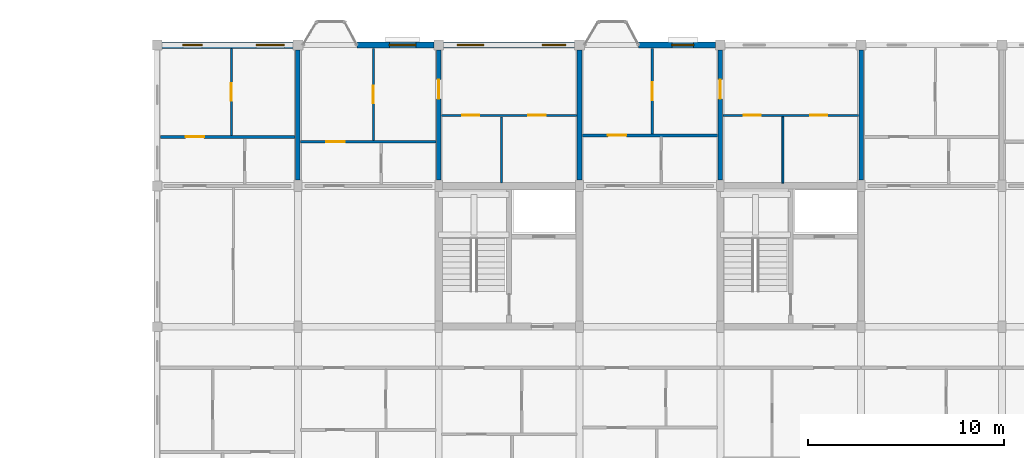
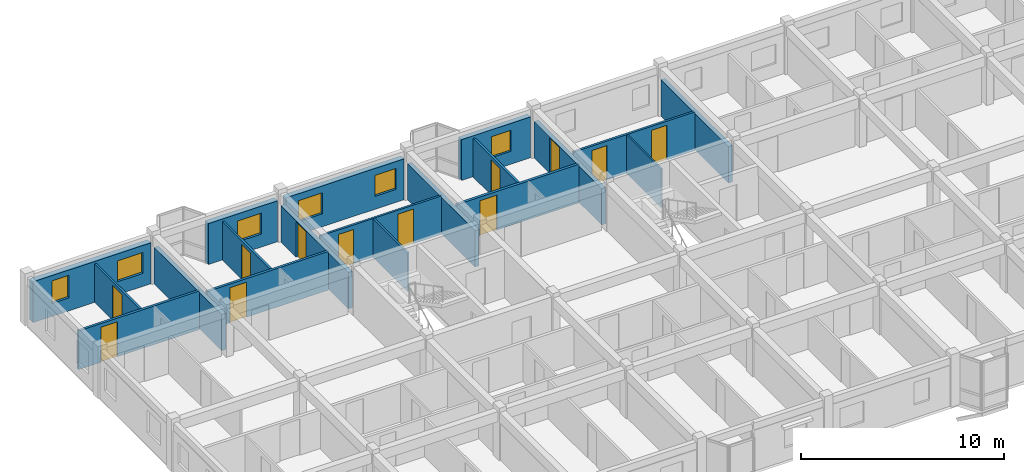
# One storey, part 63 of 70: 19 walls, 12 doors, 6 windows, 18 openings.
"""IFC4 building model written with IfcOpenShell, lengths in metres."""

from ifc_helpers import new_model, si_unit, direction, frame, frame_2d, origin, place, context, subcontext, project, spatial, rectangle, extrude, material, layer, layer_set, type_object, element, fill, save


model = new_model("IFC4")

# Units and contexts
model_context = context("Model", 3, precision=1e-05, world=origin(), true_north=direction((0.0, 1.0)))
body_context = subcontext(model_context, "Body", "Model", "MODEL_VIEW")
ifc_project = project(units=[si_unit("LENGTHUNIT", "METRE"), si_unit("AREAUNIT", "SQUARE_METRE"), si_unit("VOLUMEUNIT", "CUBIC_METRE"), si_unit("PLANEANGLEUNIT", "RADIAN"), si_unit("MASSUNIT", "GRAM", prefix="KILO"), si_unit("THERMODYNAMICTEMPERATUREUNIT", "KELVIN"), si_unit("POWERUNIT", "WATT")], contexts=[model_context])

# Site, building, storey
site_placement = place(None, origin())
site = spatial("IfcSite", under=ifc_project, at=site_placement, CompositionType="ELEMENT")
building_placement = place(site_placement, origin())
building = spatial("IfcBuilding", under=site, at=building_placement, Name="Tavuni Mirador Residences", CompositionType="ELEMENT")
storey_placement = place(building_placement, frame((0.0, 0.0, 23.39990234375)))
storey = spatial("IfcBuildingStorey", under=building, at=storey_placement, Name="L07", CompositionType="ELEMENT", Elevation=23.39990234375)

# Wall, openings, windows
ifc_material_1 = material(Name="Precast concrete C40/50", Category="concrete")
ifc_layer_1 = layer(ifc_material_1, 0.330078125, Name="Precast concrete C40/50", Category="concrete")
ifc_layer_set_1 = layer_set([ifc_layer_1], Name="Precast concrete C40/50")
wall_type_1 = type_object("IfcWallType", Name="WT-EXT-COR330", PredefinedType="SOLIDWALL", material=ifc_layer_set_1)
wall_1_placement = place(storey_placement, frame((17.75, 172.800048828125, 0.0), z_axis=(0.0, 0.0, 1.0), x_axis=(-1.0, 0.0, 0.0)))
wall_1 = element("IfcWall", 1, at=wall_1_placement, inside=storey, type_object=wall_type_1, Name="EW-BLK-C-L07-N00", PredefinedType="SOLIDWALL", context=body_context, shape_type="SweptSolid", body=[
    extrude(rectangle(XDim=6.699951171875, YDim=0.330078125, at=frame_2d((3.35009765625, 0.0))), origin(), (0.0, 0.0, 1.0), 2.455078125),
])
opening_1_placement = place(wall_1_placement, frame((0.449951171875, 0.0, 0.780029296875)))
opening_1 = element("IfcOpeningElement", 2, at=opening_1_placement, cuts=wall_1, Name="Opening WN-16", PredefinedType="OPENING", context=body_context, shape_type="SweptSolid", body=[
    extrude(rectangle(XDim=1.43994140625, YDim=1.260009765625, at=frame_2d((0.719970703125, 0.6298828125))), frame((0.0, 0.175048828125, 0.0), z_axis=(0.0, -1.0, 0.0), x_axis=(1.0, 0.0, 0.0)), (0.0, 0.0, 1.0), 0.35009765625),
])
opening_2_placement = place(wall_1_placement, frame((4.64990234375, 0.0, 0.780029296875)))
opening_2 = element("IfcOpeningElement", 3, at=opening_2_placement, cuts=wall_1, Name="Opening WN-18", PredefinedType="OPENING", context=body_context, shape_type="SweptSolid", body=[
    extrude(rectangle(XDim=0.97998046875, YDim=1.360107421875, at=frame_2d((0.489990234375, 0.68017578125))), frame((0.0, 0.175048828125, 0.0), z_axis=(0.0, -1.0, 0.0), x_axis=(1.0, 0.0, 0.0)), (0.0, 0.0, 1.0), 0.35009765625),
])
ifc_material_2 = material(Name="Laminated solar-control glass", Category="glass")
window_type_1 = type_object("IfcWindowType", Name="WNT-16", PartitioningType="SINGLE_PANEL", PredefinedType="WINDOW", material=ifc_material_2)
window_1_placement = place(opening_1_placement, origin())
window_1 = element("IfcWindow", 4, at=window_1_placement, inside=storey, type_object=window_type_1, Name="WIN-1178", OverallHeight=1.260009765625, OverallWidth=1.43994140625, PartitioningType="SINGLE_PANEL", PredefinedType="WINDOW", context=body_context, shape_type="SweptSolid", body=[
    extrude(rectangle(XDim=1.43994140625, YDim=1.260009765625, at=frame_2d((0.719970703125, 0.6298828125))), frame((0.0, 0.030029296875, 0.0), z_axis=(0.0, -1.0, 0.0), x_axis=(1.0, 0.0, 0.0)), (0.0, 0.0, 1.0), 0.06005859375),
])
fill(opening_1, window_1)
window_type_2 = type_object("IfcWindowType", Name="WNT-18", PartitioningType="SINGLE_PANEL", PredefinedType="WINDOW", material=ifc_material_2)
window_2_placement = place(opening_2_placement, origin())
window_2 = element("IfcWindow", 5, at=window_2_placement, inside=storey, type_object=window_type_2, Name="WIN-1179", OverallHeight=1.360107421875, OverallWidth=0.97998046875, PartitioningType="SINGLE_PANEL", PredefinedType="WINDOW", context=body_context, shape_type="SweptSolid", body=[
    extrude(rectangle(XDim=0.97998046875, YDim=1.360107421875, at=frame_2d((0.489990234375, 0.68017578125))), frame((0.0, 0.030029296875, 0.0), z_axis=(0.0, -1.0, 0.0), x_axis=(1.0, 0.0, 0.0)), (0.0, 0.0, 1.0), 0.06005859375),
])
fill(opening_2, window_2)

# Wall, opening, window
ifc_material_3 = material(Name="Sgraffito lime-rendered precast concrete C40/50", Category="concrete")
ifc_layer_2 = layer(ifc_material_3, 0.2900390625, Name="Sgraffito lime-rendered precast concrete C40/50", Category="concrete")
ifc_layer_set_2 = layer_set([ifc_layer_2], Name="Sgraffito lime-rendered precast concrete C40/50")
wall_type_2 = type_object("IfcWallType", Name="WT-EXT-PC290", PredefinedType="SOLIDWALL", material=ifc_layer_set_2)
wall_2_placement = place(storey_placement, frame((39.35009765625, 172.800048828125, 0.0), z_axis=(0.0, 0.0, 1.0), x_axis=(-1.0, 0.0, 0.0)))
wall_2 = element("IfcWall", 6, at=wall_2_placement, inside=storey, type_object=wall_type_2, Name="EW-BLK-C-L07-N03", PredefinedType="SOLIDWALL", context=body_context, shape_type="SweptSolid", body=[
    extrude(rectangle(XDim=3.93017578125, YDim=0.2900390625, at=frame_2d((1.965087890625, 0.0))), origin(), (0.0, 0.0, 1.0), 2.455078125),
])
opening_3_placement = place(wall_2_placement, frame((1.110107421875, 0.0, 0.780029296875)))
opening_3 = element("IfcOpeningElement", 7, at=opening_3_placement, cuts=wall_2, Name="Opening WN-12", PredefinedType="OPENING", context=body_context, shape_type="SweptSolid", body=[
    extrude(rectangle(XDim=1.1201171875, YDim=1.260009765625, at=frame_2d((0.56005859375, 0.6298828125))), frame((0.0, 0.155029296875, 0.0), z_axis=(0.0, -1.0, 0.0), x_axis=(1.0, 0.0, 0.0)), (0.0, 0.0, 1.0), 0.31005859375),
])
window_type_3 = type_object("IfcWindowType", Name="WNT-12", PartitioningType="SINGLE_PANEL", PredefinedType="WINDOW", material=ifc_material_2)
window_3_placement = place(opening_3_placement, origin())
window_3 = element("IfcWindow", 8, at=window_3_placement, inside=storey, type_object=window_type_3, Name="WIN-1174", OverallHeight=1.260009765625, OverallWidth=1.1201171875, PartitioningType="SINGLE_PANEL", PredefinedType="WINDOW", context=body_context, shape_type="SweptSolid", body=[
    extrude(rectangle(XDim=1.1201171875, YDim=1.260009765625, at=frame_2d((0.56005859375, 0.6298828125))), frame((0.0, 0.030029296875, 0.0), z_axis=(0.0, -1.0, 0.0), x_axis=(1.0, 0.0, 0.0)), (0.0, 0.0, 1.0), 0.06005859375),
])
fill(opening_3, window_3)

# Wall, openings, windows
ifc_layer_3 = layer(ifc_material_3, 0.304931640625, Name="Sgraffito lime-rendered precast concrete C40/50", Category="concrete")
ifc_layer_set_3 = layer_set([ifc_layer_3], Name="Sgraffito lime-rendered precast concrete C40/50")
wall_type_3 = type_object("IfcWallType", Name="WT-EXT-PC305", PredefinedType="SOLIDWALL", material=ifc_layer_set_3)
wall_3_placement = place(storey_placement, frame((32.14990234375, 172.800048828125, 0.0), z_axis=(0.0, 0.0, 1.0), x_axis=(-1.0, 0.0, 0.0)))
wall_3 = element("IfcWall", 9, at=wall_3_placement, inside=storey, type_object=wall_type_3, Name="EW-BLK-C-L07-N02", PredefinedType="SOLIDWALL", context=body_context, shape_type="SweptSolid", body=[
    extrude(rectangle(XDim=6.699951171875, YDim=0.304931640625, at=frame_2d((3.35009765625, 0.0))), origin(), (0.0, 0.0, 1.0), 2.455078125),
])
opening_4_placement = place(wall_3_placement, frame((0.449951171875, 0.0, 0.780029296875)))
opening_4 = element("IfcOpeningElement", 10, at=opening_4_placement, cuts=wall_3, Name="Opening WN-13", PredefinedType="OPENING", context=body_context, shape_type="SweptSolid", body=[
    extrude(rectangle(XDim=1.199951171875, YDim=1.260009765625, at=frame_2d((0.60009765625, 0.6298828125))), frame((0.0, 0.16259765625, 0.0), z_axis=(0.0, -1.0, 0.0), x_axis=(1.0, 0.0, 0.0)), (0.0, 0.0, 1.0), 0.324951171875),
])
opening_5_placement = place(wall_3_placement, frame((4.64990234375, 0.0, 0.780029296875)))
opening_5 = element("IfcOpeningElement", 11, at=opening_5_placement, cuts=wall_3, Name="Opening WN-15", PredefinedType="OPENING", context=body_context, shape_type="SweptSolid", body=[
    extrude(rectangle(XDim=1.360107421875, YDim=1.260009765625, at=frame_2d((0.68017578125, 0.6298828125))), frame((0.0, 0.16259765625, 0.0), z_axis=(0.0, -1.0, 0.0), x_axis=(1.0, 0.0, 0.0)), (0.0, 0.0, 1.0), 0.324951171875),
])
window_type_4 = type_object("IfcWindowType", Name="WNT-13", PartitioningType="SINGLE_PANEL", PredefinedType="WINDOW", material=ifc_material_2)
window_4_placement = place(opening_4_placement, origin())
window_4 = element("IfcWindow", 12, at=window_4_placement, inside=storey, type_object=window_type_4, Name="WIN-1175", OverallHeight=1.260009765625, OverallWidth=1.199951171875, PartitioningType="SINGLE_PANEL", PredefinedType="WINDOW", context=body_context, shape_type="SweptSolid", body=[
    extrude(rectangle(XDim=1.199951171875, YDim=1.260009765625, at=frame_2d((0.60009765625, 0.6298828125))), frame((0.0, 0.030029296875, 0.0), z_axis=(0.0, -1.0, 0.0), x_axis=(1.0, 0.0, 0.0)), (0.0, 0.0, 1.0), 0.06005859375),
])
fill(opening_4, window_4)
window_type_5 = type_object("IfcWindowType", Name="WNT-15", PartitioningType="SINGLE_PANEL", PredefinedType="WINDOW", material=ifc_material_2)
window_5_placement = place(opening_5_placement, origin())
window_5 = element("IfcWindow", 13, at=window_5_placement, inside=storey, type_object=window_type_5, Name="WIN-1176", OverallHeight=1.260009765625, OverallWidth=1.360107421875, PartitioningType="SINGLE_PANEL", PredefinedType="WINDOW", context=body_context, shape_type="SweptSolid", body=[
    extrude(rectangle(XDim=1.360107421875, YDim=1.260009765625, at=frame_2d((0.68017578125, 0.6298828125))), frame((0.0, 0.030029296875, 0.0), z_axis=(0.0, -1.0, 0.0), x_axis=(1.0, 0.0, 0.0)), (0.0, 0.0, 1.0), 0.06005859375),
])
fill(opening_5, window_5)

# Wall, opening, window
ifc_layer_4 = layer(ifc_material_3, 0.31494140625, Name="Sgraffito lime-rendered precast concrete C40/50", Category="concrete")
ifc_layer_set_4 = layer_set([ifc_layer_4], Name="Sgraffito lime-rendered precast concrete C40/50")
wall_type_4 = type_object("IfcWallType", Name="WT-EXT-PC315", PredefinedType="SOLIDWALL", material=ifc_layer_set_4)
wall_4_placement = place(storey_placement, frame((24.949951171875, 172.800048828125, 0.0), z_axis=(0.0, 0.0, 1.0), x_axis=(-1.0, 0.0, 0.0)))
wall_4 = element("IfcWall", 14, at=wall_4_placement, inside=storey, type_object=wall_type_4, Name="EW-BLK-C-L07-N01", PredefinedType="SOLIDWALL", context=body_context, shape_type="SweptSolid", body=[
    extrude(rectangle(XDim=3.929931640625, YDim=0.31494140625, at=frame_2d((1.96484375, 0.0))), origin(), (0.0, 0.0, 1.0), 2.455078125),
])
opening_6_placement = place(wall_4_placement, frame((0.919921875, 0.0, 0.780029296875)))
opening_6 = element("IfcOpeningElement", 15, at=opening_6_placement, cuts=wall_4, Name="Opening WN-15", PredefinedType="OPENING", context=body_context, shape_type="SweptSolid", body=[
    extrude(rectangle(XDim=1.360107421875, YDim=1.260009765625, at=frame_2d((0.68017578125, 0.6298828125))), frame((0.0, 0.16748046875, 0.0), z_axis=(0.0, -1.0, 0.0), x_axis=(1.0, 0.0, 0.0)), (0.0, 0.0, 1.0), 0.3349609375),
])
window_6_placement = place(opening_6_placement, origin())
window_6 = element("IfcWindow", 16, at=window_6_placement, inside=storey, type_object=window_type_5, Name="WIN-1177", OverallHeight=1.260009765625, OverallWidth=1.360107421875, PartitioningType="SINGLE_PANEL", PredefinedType="WINDOW", context=body_context, shape_type="SweptSolid", body=[
    extrude(rectangle(XDim=1.360107421875, YDim=1.260009765625, at=frame_2d((0.68017578125, 0.6298828125))), frame((0.0, 0.030029296875, 0.0), z_axis=(0.0, -1.0, 0.0), x_axis=(1.0, 0.0, 0.0)), (0.0, 0.0, 1.0), 0.06005859375),
])
fill(opening_6, window_6)

# Walls
ifc_material_4 = material(Name="Acoustic gypsum and concrete block partition", Category="concrete")
ifc_layer_5 = layer(ifc_material_4, 0.094970703125, Name="Acoustic gypsum and concrete block partition", Category="concrete")
ifc_layer_set_5 = layer_set([ifc_layer_5], Name="Acoustic gypsum and concrete block partition")
wall_type_5 = type_object("IfcWallType", Name="WT-PART095", PredefinedType="PARTITIONING", material=ifc_layer_set_5)
wall_5_placement = place(storey_placement, frame((42.800048828125, 165.739990234375, 0.0), z_axis=(0.0, 0.0, 1.0), x_axis=(0.0, 1.0, 0.0)))
element("IfcWall", 17, at=wall_5_placement, inside=storey, type_object=wall_type_5, Name="PW-BLK-C-L07-NC04-V", PredefinedType="PARTITIONING", context=body_context, shape_type="SweptSolid", body=[
    extrude(rectangle(XDim=3.389892578125, YDim=0.094970703125, at=frame_2d((1.69482421875, 0.0))), origin(), (0.0, 0.0, 1.0), 2.320068359375),
])
ifc_layer_6 = layer(ifc_material_4, 0.10498046875, Name="Acoustic gypsum and concrete block partition", Category="concrete")
ifc_layer_set_6 = layer_set([ifc_layer_6], Name="Acoustic gypsum and concrete block partition")
wall_type_6 = type_object("IfcWallType", Name="WT-PART105", PredefinedType="PARTITIONING", material=ifc_layer_set_6)
wall_6_placement = place(storey_placement, frame((28.39990234375, 165.739990234375, 0.0), z_axis=(0.0, 0.0, 1.0), x_axis=(0.0, 1.0, 0.0)))
element("IfcWall", 18, at=wall_6_placement, inside=storey, type_object=wall_type_6, Name="PW-BLK-C-L07-NC02-V", PredefinedType="PARTITIONING", context=body_context, shape_type="SweptSolid", body=[
    extrude(rectangle(XDim=3.389892578125, YDim=0.10498046875, at=frame_2d((1.69482421875, 0.0))), origin(), (0.0, 0.0, 1.0), 2.320068359375),
])

# Wall, opening, door
ifc_layer_7 = layer(ifc_material_4, 0.114990234375, Name="Acoustic gypsum and concrete block partition", Category="concrete")
ifc_layer_set_7 = layer_set([ifc_layer_7], Name="Acoustic gypsum and concrete block partition")
wall_type_7 = type_object("IfcWallType", Name="WT-PART115", PredefinedType="PARTITIONING", material=ifc_layer_set_7)
wall_7_placement = place(storey_placement, frame((14.60009765625, 168.169921875, 0.0), z_axis=(0.0, 0.0, 1.0), x_axis=(0.0, 1.0, 0.0)))
wall_7 = element("IfcWall", 19, at=wall_7_placement, inside=storey, type_object=wall_type_7, Name="PW-BLK-C-L07-N00-OUT", PredefinedType="PARTITIONING", context=body_context, shape_type="SweptSolid", body=[
    extrude(rectangle(XDim=4.455078125, YDim=0.114990234375, at=frame_2d((2.2275390625, 0.0))), origin(), (0.0, 0.0, 1.0), 2.320068359375),
])
opening_7_placement = place(wall_7_placement, frame((1.777587890625, 0.0, 0.0)))
opening_7 = element("IfcOpeningElement", 20, at=opening_7_placement, cuts=wall_7, Name="Opening D-07", PredefinedType="OPENING", context=body_context, shape_type="SweptSolid", body=[
    extrude(rectangle(XDim=0.89990234375, YDim=2.10009765625, at=frame_2d((0.449951171875, 1.050048828125))), frame((0.0, 0.0673828125, 0.0), z_axis=(0.0, -1.0, 0.0), x_axis=(1.0, 0.0, 0.0)), (0.0, 0.0, 1.0), 0.135009765625),
])
ifc_material_5 = material(Name="Solid core iroko timber", Category="wood")
door_type_1 = type_object("IfcDoorType", Name="DT-BED900", OperationType="NOTDEFINED", PredefinedType="DOOR", material=ifc_material_5)
door_1_placement = place(opening_7_placement, origin())
door_1 = element("IfcDoor", 21, at=door_1_placement, inside=storey, type_object=door_type_1, Name="DR-4021", OperationType="SINGLE_SWING_RIGHT", OverallHeight=2.10009765625, OverallWidth=0.89990234375, PredefinedType="DOOR", context=body_context, shape_type="SweptSolid", body=[
    extrude(rectangle(XDim=0.89990234375, YDim=2.10009765625, at=frame_2d((0.449951171875, 1.050048828125))), frame((0.0, 0.02490234375, 0.0), z_axis=(0.0, -1.0, 0.0), x_axis=(1.0, 0.0, 0.0)), (0.0, 0.0, 1.0), 0.050048828125),
])
fill(opening_7, door_1)

wall_8_placement = place(storey_placement, frame((21.860107421875, 167.929931640625, 0.0), z_axis=(0.0, 0.0, 1.0), x_axis=(0.0, 1.0, 0.0)))
wall_8 = element("IfcWall", 22, at=wall_8_placement, inside=storey, type_object=wall_type_7, Name="PW-BLK-C-L07-N01-OUT", PredefinedType="PARTITIONING", context=body_context, shape_type="SweptSolid", body=[
    extrude(rectangle(XDim=4.695068359375, YDim=0.114990234375, at=frame_2d((2.34765625, 0.0))), origin(), (0.0, 0.0, 1.0), 2.320068359375),
])
opening_8_placement = place(wall_8_placement, frame((1.8974609375, 0.0, 0.0)))
opening_8 = element("IfcOpeningElement", 23, at=opening_8_placement, cuts=wall_8, Name="Opening D-07", PredefinedType="OPENING", context=body_context, shape_type="SweptSolid", body=[
    extrude(rectangle(XDim=0.89990234375, YDim=2.10009765625, at=frame_2d((0.449951171875, 1.050048828125))), frame((0.0, 0.0673828125, 0.0), z_axis=(0.0, -1.0, 0.0), x_axis=(1.0, 0.0, 0.0)), (0.0, 0.0, 1.0), 0.135009765625),
])
door_2_placement = place(opening_8_placement, origin())
door_2 = element("IfcDoor", 24, at=door_2_placement, inside=storey, type_object=door_type_1, Name="DR-4027", OperationType="SINGLE_SWING_RIGHT", OverallHeight=2.10009765625, OverallWidth=0.89990234375, PredefinedType="DOOR", context=body_context, shape_type="SweptSolid", body=[
    extrude(rectangle(XDim=0.89990234375, YDim=2.10009765625, at=frame_2d((0.449951171875, 1.050048828125))), frame((0.0, 0.02490234375, 0.0), z_axis=(0.0, -1.0, 0.0), x_axis=(1.0, 0.0, 0.0)), (0.0, 0.0, 1.0), 0.050048828125),
])
fill(opening_8, door_2)

# Wall, openings, doors
wall_9_placement = place(storey_placement, frame((25.340087890625, 169.199951171875, 0.0), z_axis=(0.0, 0.0, 1.0), x_axis=(1.0, 0.0, 0.0)))
wall_9 = element("IfcWall", 25, at=wall_9_placement, inside=storey, type_object=wall_type_7, Name="PW-BLK-C-L07-NC02-M", PredefinedType="PARTITIONING", context=body_context, shape_type="SweptSolid", body=[
    extrude(rectangle(XDim=6.919921875, YDim=0.114990234375, at=frame_2d((3.4599609375, 0.0))), origin(), (0.0, 0.0, 1.0), 2.320068359375),
])
opening_9_placement = place(wall_9_placement, frame((1.050048828125, 0.0, 0.0)))
opening_9 = element("IfcOpeningElement", 26, at=opening_9_placement, cuts=wall_9, Name="Opening D-10", PredefinedType="OPENING", context=body_context, shape_type="SweptSolid", body=[
    extrude(rectangle(XDim=0.8701171875, YDim=2.050048828125, at=frame_2d((0.43505859375, 1.02490234375))), frame((0.0, 0.0673828125, 0.0), z_axis=(0.0, -1.0, 0.0), x_axis=(1.0, 0.0, 0.0)), (0.0, 0.0, 1.0), 0.135009765625),
])
opening_10_placement = place(wall_9_placement, frame((4.449951171875, 0.0, 0.0)))
opening_10 = element("IfcOpeningElement", 27, at=opening_10_placement, cuts=wall_9, Name="Opening D-08", PredefinedType="OPENING", context=body_context, shape_type="SweptSolid", body=[
    extrude(rectangle(XDim=0.8798828125, YDim=2.080078125, at=frame_2d((0.43994140625, 1.0400390625))), frame((0.0, 0.0673828125, 0.0), z_axis=(0.0, -1.0, 0.0), x_axis=(1.0, 0.0, 0.0)), (0.0, 0.0, 1.0), 0.135009765625),
])
door_type_2 = type_object("IfcDoorType", Name="DT-BED880", OperationType="NOTDEFINED", PredefinedType="DOOR", material=ifc_material_5)
door_3_placement = place(opening_10_placement, origin())
door_3 = element("IfcDoor", 28, at=door_3_placement, inside=storey, type_object=door_type_2, Name="DR-4034", OperationType="SINGLE_SWING_RIGHT", OverallHeight=2.080078125, OverallWidth=0.8798828125, PredefinedType="DOOR", context=body_context, shape_type="SweptSolid", body=[
    extrude(rectangle(XDim=0.8798828125, YDim=2.080078125, at=frame_2d((0.43994140625, 1.0400390625))), frame((0.0, 0.02490234375, 0.0), z_axis=(0.0, -1.0, 0.0), x_axis=(1.0, 0.0, 0.0)), (0.0, 0.0, 1.0), 0.050048828125),
])
fill(opening_10, door_3)
door_type_3 = type_object("IfcDoorType", Name="DT-WC870", OperationType="NOTDEFINED", PredefinedType="DOOR", material=ifc_material_5)
door_4_placement = place(opening_9_placement, origin())
door_4 = element("IfcDoor", 29, at=door_4_placement, inside=storey, type_object=door_type_3, Name="DR-4033", OperationType="SINGLE_SWING_LEFT", OverallHeight=2.050048828125, OverallWidth=0.8701171875, PredefinedType="DOOR", context=body_context, shape_type="SweptSolid", body=[
    extrude(rectangle(XDim=0.8701171875, YDim=2.050048828125, at=frame_2d((0.43505859375, 1.02490234375))), frame((0.0, 0.02490234375, 0.0), z_axis=(0.0, -1.0, 0.0), x_axis=(1.0, 0.0, 0.0)), (0.0, 0.0, 1.0), 0.050048828125),
])
fill(opening_9, door_4)

# Wall, opening, door
ifc_layer_8 = layer(ifc_material_4, 0.125, Name="Acoustic gypsum and concrete block partition", Category="concrete")
ifc_layer_set_8 = layer_set([ifc_layer_8], Name="Acoustic gypsum and concrete block partition")
wall_type_8 = type_object("IfcWallType", Name="WT-PART125", PredefinedType="PARTITIONING", material=ifc_layer_set_8)
wall_10_placement = place(storey_placement, frame((36.1201171875, 168.25, 0.0), z_axis=(0.0, 0.0, 1.0), x_axis=(0.0, 1.0, 0.0)))
wall_10 = element("IfcWall", 30, at=wall_10_placement, inside=storey, type_object=wall_type_8, Name="PW-BLK-C-L07-N03-OUT", PredefinedType="PARTITIONING", context=body_context, shape_type="SweptSolid", body=[
    extrude(rectangle(XDim=4.375, YDim=0.125, at=frame_2d((2.1875, 0.0))), origin(), (0.0, 0.0, 1.0), 2.320068359375),
])
opening_11_placement = place(wall_10_placement, frame((1.737548828125, 0.0, 0.0)))
opening_11 = element("IfcOpeningElement", 31, at=opening_11_placement, cuts=wall_10, Name="Opening D-07", PredefinedType="OPENING", context=body_context, shape_type="SweptSolid", body=[
    extrude(rectangle(XDim=0.89990234375, YDim=2.10009765625, at=frame_2d((0.449951171875, 1.050048828125))), frame((0.0, 0.072509765625, 0.0), z_axis=(0.0, -1.0, 0.0), x_axis=(1.0, 0.0, 0.0)), (0.0, 0.0, 1.0), 0.14501953125),
])
door_5_placement = place(opening_11_placement, origin())
door_5 = element("IfcDoor", 32, at=door_5_placement, inside=storey, type_object=door_type_1, Name="DR-4038", OperationType="SINGLE_SWING_RIGHT", OverallHeight=2.10009765625, OverallWidth=0.89990234375, PredefinedType="DOOR", context=body_context, shape_type="SweptSolid", body=[
    extrude(rectangle(XDim=0.89990234375, YDim=2.10009765625, at=frame_2d((0.449951171875, 1.050048828125))), frame((0.0, 0.02490234375, 0.0), z_axis=(0.0, -1.0, 0.0), x_axis=(1.0, 0.0, 0.0)), (0.0, 0.0, 1.0), 0.050048828125),
])
fill(opening_11, door_5)

# Wall, openings, doors
wall_11_placement = place(storey_placement, frame((39.739990234375, 169.199951171875, 0.0), z_axis=(0.0, 0.0, 1.0), x_axis=(1.0, 0.0, 0.0)))
wall_11 = element("IfcWall", 33, at=wall_11_placement, inside=storey, type_object=wall_type_8, Name="PW-BLK-C-L07-NC04-M", PredefinedType="PARTITIONING", context=body_context, shape_type="SweptSolid", body=[
    extrude(rectangle(XDim=6.919921875, YDim=0.125, at=frame_2d((3.4599609375, 0.0))), origin(), (0.0, 0.0, 1.0), 2.320068359375),
])
opening_12_placement = place(wall_11_placement, frame((1.050048828125, 0.0, 0.0)))
opening_12 = element("IfcOpeningElement", 34, at=opening_12_placement, cuts=wall_11, Name="Opening D-10", PredefinedType="OPENING", context=body_context, shape_type="SweptSolid", body=[
    extrude(rectangle(XDim=0.8701171875, YDim=2.050048828125, at=frame_2d((0.43505859375, 1.02490234375))), frame((0.0, 0.072509765625, 0.0), z_axis=(0.0, -1.0, 0.0), x_axis=(1.0, 0.0, 0.0)), (0.0, 0.0, 1.0), 0.14501953125),
])
opening_13_placement = place(wall_11_placement, frame((4.449951171875, 0.0, 0.0)))
opening_13 = element("IfcOpeningElement", 35, at=opening_13_placement, cuts=wall_11, Name="Opening D-08", PredefinedType="OPENING", context=body_context, shape_type="SweptSolid", body=[
    extrude(rectangle(XDim=0.8798828125, YDim=2.080078125, at=frame_2d((0.43994140625, 1.0400390625))), frame((0.0, 0.072509765625, 0.0), z_axis=(0.0, -1.0, 0.0), x_axis=(1.0, 0.0, 0.0)), (0.0, 0.0, 1.0), 0.14501953125),
])
door_6_placement = place(opening_13_placement, origin())
door_6 = element("IfcDoor", 36, at=door_6_placement, inside=storey, type_object=door_type_2, Name="DR-4045", OperationType="SINGLE_SWING_RIGHT", OverallHeight=2.080078125, OverallWidth=0.8798828125, PredefinedType="DOOR", context=body_context, shape_type="SweptSolid", body=[
    extrude(rectangle(XDim=0.8798828125, YDim=2.080078125, at=frame_2d((0.43994140625, 1.0400390625))), frame((0.0, 0.02490234375, 0.0), z_axis=(0.0, -1.0, 0.0), x_axis=(1.0, 0.0, 0.0)), (0.0, 0.0, 1.0), 0.050048828125),
])
fill(opening_13, door_6)
door_7_placement = place(opening_12_placement, origin())
door_7 = element("IfcDoor", 37, at=door_7_placement, inside=storey, type_object=door_type_3, Name="DR-4044", OperationType="SINGLE_SWING_LEFT", OverallHeight=2.050048828125, OverallWidth=0.8701171875, PredefinedType="DOOR", context=body_context, shape_type="SweptSolid", body=[
    extrude(rectangle(XDim=0.8701171875, YDim=2.050048828125, at=frame_2d((0.43505859375, 1.02490234375))), frame((0.0, 0.02490234375, 0.0), z_axis=(0.0, -1.0, 0.0), x_axis=(1.0, 0.0, 0.0)), (0.0, 0.0, 1.0), 0.050048828125),
])
fill(opening_12, door_7)

# Wall, opening, door
ifc_layer_9 = layer(ifc_material_4, 0.139892578125, Name="Acoustic gypsum and concrete block partition", Category="concrete")
ifc_layer_set_9 = layer_set([ifc_layer_9], Name="Acoustic gypsum and concrete block partition")
wall_type_9 = type_object("IfcWallType", Name="WT-PART140", PredefinedType="PARTITIONING", material=ifc_layer_set_9)
wall_12_placement = place(storey_placement, frame((10.97509765625, 168.10009765625, 0.0), z_axis=(0.0, 0.0, 1.0), x_axis=(1.0, 0.0, 0.0)))
wall_12 = element("IfcWall", 38, at=wall_12_placement, inside=storey, type_object=wall_type_9, Name="PW-BLK-C-L07-N00-MID", PredefinedType="PARTITIONING", context=body_context, shape_type="SweptSolid", body=[
    extrude(rectangle(XDim=6.885009765625, YDim=0.139892578125, at=frame_2d((3.4423828125, 0.0))), origin(), (0.0, 0.0, 1.0), 2.320068359375),
])
opening_14_placement = place(wall_12_placement, frame((1.27490234375, 0.0, 0.0)))
opening_14 = element("IfcOpeningElement", 39, at=opening_14_placement, cuts=wall_12, Name="Opening D-05", PredefinedType="OPENING", context=body_context, shape_type="SweptSolid", body=[
    extrude(rectangle(XDim=0.949951171875, YDim=2.10009765625, at=frame_2d((0.47509765625, 1.050048828125))), frame((0.0, 0.080078125, 0.0), z_axis=(0.0, -1.0, 0.0), x_axis=(1.0, 0.0, 0.0)), (0.0, 0.0, 1.0), 0.159912109375),
])
door_type_4 = type_object("IfcDoorType", Name="DT-INT950", OperationType="NOTDEFINED", PredefinedType="DOOR", material=ifc_material_5)
door_8_placement = place(opening_14_placement, origin())
door_8 = element("IfcDoor", 40, at=door_8_placement, inside=storey, type_object=door_type_4, Name="DR-4023", OperationType="SINGLE_SWING_LEFT", OverallHeight=2.10009765625, OverallWidth=0.949951171875, PredefinedType="DOOR", context=body_context, shape_type="SweptSolid", body=[
    extrude(rectangle(XDim=0.949951171875, YDim=2.10009765625, at=frame_2d((0.47509765625, 1.050048828125))), frame((0.0, 0.02490234375, 0.0), z_axis=(0.0, -1.0, 0.0), x_axis=(1.0, 0.0, 0.0)), (0.0, 0.0, 1.0), 0.050048828125),
])
fill(opening_14, door_8)

wall_13_placement = place(storey_placement, frame((18.139892578125, 167.860107421875, 0.0), z_axis=(0.0, 0.0, 1.0), x_axis=(1.0, 0.0, 0.0)))
wall_13 = element("IfcWall", 41, at=wall_13_placement, inside=storey, type_object=wall_type_9, Name="PW-BLK-C-L07-N01-MID", PredefinedType="PARTITIONING", context=body_context, shape_type="SweptSolid", body=[
    extrude(rectangle(XDim=6.920166015625, YDim=0.139892578125, at=frame_2d((3.4599609375, 0.0))), origin(), (0.0, 0.0, 1.0), 2.320068359375),
])
opening_15_placement = place(wall_13_placement, frame((1.31005859375, 0.0, 0.0)))
opening_15 = element("IfcOpeningElement", 42, at=opening_15_placement, cuts=wall_13, Name="Opening D-05", PredefinedType="OPENING", context=body_context, shape_type="SweptSolid", body=[
    extrude(rectangle(XDim=0.949951171875, YDim=2.10009765625, at=frame_2d((0.47509765625, 1.050048828125))), frame((0.0, 0.080078125, 0.0), z_axis=(0.0, -1.0, 0.0), x_axis=(1.0, 0.0, 0.0)), (0.0, 0.0, 1.0), 0.159912109375),
])
door_9_placement = place(opening_15_placement, origin())
door_9 = element("IfcDoor", 43, at=door_9_placement, inside=storey, type_object=door_type_4, Name="DR-4029", OperationType="SINGLE_SWING_LEFT", OverallHeight=2.10009765625, OverallWidth=0.949951171875, PredefinedType="DOOR", context=body_context, shape_type="SweptSolid", body=[
    extrude(rectangle(XDim=0.949951171875, YDim=2.10009765625, at=frame_2d((0.47509765625, 1.050048828125))), frame((0.0, 0.02490234375, 0.0), z_axis=(0.0, -1.0, 0.0), x_axis=(1.0, 0.0, 0.0)), (0.0, 0.0, 1.0), 0.050048828125),
])
fill(opening_15, door_9)

ifc_layer_10 = layer(ifc_material_4, 0.14990234375, Name="Acoustic gypsum and concrete block partition", Category="concrete")
ifc_layer_set_10 = layer_set([ifc_layer_10], Name="Acoustic gypsum and concrete block partition")
wall_type_10 = type_object("IfcWallType", Name="WT-PART150", PredefinedType="PARTITIONING", material=ifc_layer_set_10)
wall_14_placement = place(storey_placement, frame((32.5400390625, 168.179931640625, 0.0), z_axis=(0.0, 0.0, 1.0), x_axis=(1.0, 0.0, 0.0)))
wall_14 = element("IfcWall", 44, at=wall_14_placement, inside=storey, type_object=wall_type_10, Name="PW-BLK-C-L07-N03-MID", PredefinedType="PARTITIONING", context=body_context, shape_type="SweptSolid", body=[
    extrude(rectangle(XDim=6.919921875, YDim=0.14990234375, at=frame_2d((3.4599609375, 0.0))), origin(), (0.0, 0.0, 1.0), 2.320068359375),
])
opening_16_placement = place(wall_14_placement, frame((1.31005859375, 0.0, 0.0)))
opening_16 = element("IfcOpeningElement", 45, at=opening_16_placement, cuts=wall_14, Name="Opening D-05", PredefinedType="OPENING", context=body_context, shape_type="SweptSolid", body=[
    extrude(rectangle(XDim=0.949951171875, YDim=2.10009765625, at=frame_2d((0.47509765625, 1.050048828125))), frame((0.0, 0.0849609375, 0.0), z_axis=(0.0, -1.0, 0.0), x_axis=(1.0, 0.0, 0.0)), (0.0, 0.0, 1.0), 0.169921875),
])
door_10_placement = place(opening_16_placement, origin())
door_10 = element("IfcDoor", 46, at=door_10_placement, inside=storey, type_object=door_type_4, Name="DR-4040", OperationType="SINGLE_SWING_LEFT", OverallHeight=2.10009765625, OverallWidth=0.949951171875, PredefinedType="DOOR", context=body_context, shape_type="SweptSolid", body=[
    extrude(rectangle(XDim=0.949951171875, YDim=2.10009765625, at=frame_2d((0.47509765625, 1.050048828125))), frame((0.0, 0.02490234375, 0.0), z_axis=(0.0, -1.0, 0.0), x_axis=(1.0, 0.0, 0.0)), (0.0, 0.0, 1.0), 0.050048828125),
])
fill(opening_16, door_10)

# Wall
ifc_layer_11 = layer(ifc_material_1, 0.235107421875, Name="Precast concrete C40/50", Category="concrete")
ifc_layer_set_11 = layer_set([ifc_layer_11], Name="Precast concrete C40/50")
wall_type_11 = type_object("IfcWallType", Name="WT-XW235", PredefinedType="SOLIDWALL", material=ifc_layer_set_11)
wall_15_placement = place(storey_placement, frame((18.0, 165.89990234375, 0.0), z_axis=(0.0, 0.0, 1.0), x_axis=(0.0, 1.0, 0.0)))
element("IfcWall", 47, at=wall_15_placement, inside=storey, type_object=wall_type_11, Name="XW-BLK-C-L07-N-01", PredefinedType="SOLIDWALL", context=body_context, shape_type="SweptSolid", body=[
    extrude(rectangle(XDim=6.650146484375, YDim=0.235107421875, at=frame_2d((3.3251953125, 0.0))), origin(), (0.0, 0.0, 1.0), 2.18505859375),
])

# Wall, opening, door
wall_16_placement = place(storey_placement, frame((25.199951171875, 165.89990234375, 0.0), z_axis=(0.0, 0.0, 1.0), x_axis=(0.0, 1.0, 0.0)))
wall_16 = element("IfcWall", 48, at=wall_16_placement, inside=storey, type_object=wall_type_11, Name="XW-BLK-C-L07-N-02", PredefinedType="SOLIDWALL", context=body_context, shape_type="SweptSolid", body=[
    extrude(rectangle(XDim=6.650146484375, YDim=0.235107421875, at=frame_2d((3.3251953125, 0.0))), origin(), (0.0, 0.0, 1.0), 2.18505859375),
])
opening_17_placement = place(wall_16_placement, frame((4.14990234375, 0.0, 0.0)))
opening_17 = element("IfcOpeningElement", 49, at=opening_17_placement, cuts=wall_16, Name="Opening D-04", PredefinedType="OPENING", context=body_context, shape_type="SweptSolid", body=[
    extrude(rectangle(XDim=0.97998046875, YDim=2.1201171875, at=frame_2d((0.489990234375, 1.06005859375))), frame((0.0, 0.12744140625, 0.0), z_axis=(0.0, -1.0, 0.0), x_axis=(1.0, 0.0, 0.0)), (0.0, 0.0, 1.0), 0.255126953125),
])
door_type_5 = type_object("IfcDoorType", Name="DT-FD60-980", OperationType="NOTDEFINED", PredefinedType="DOOR", material=ifc_material_5)
door_11_placement = place(opening_17_placement, origin())
door_11 = element("IfcDoor", 50, at=door_11_placement, inside=storey, type_object=door_type_5, Name="DR-4742", OperationType="SINGLE_SWING_LEFT", OverallHeight=2.1201171875, OverallWidth=0.97998046875, PredefinedType="DOOR", context=body_context, shape_type="SweptSolid", body=[
    extrude(rectangle(XDim=0.97998046875, YDim=2.1201171875, at=frame_2d((0.489990234375, 1.06005859375))), frame((0.0, 0.02490234375, 0.0), z_axis=(0.0, -1.0, 0.0), x_axis=(1.0, 0.0, 0.0)), (0.0, 0.0, 1.0), 0.050048828125),
])
fill(opening_17, door_11)

# Wall
wall_17_placement = place(storey_placement, frame((32.39990234375, 165.89990234375, 0.0), z_axis=(0.0, 0.0, 1.0), x_axis=(0.0, 1.0, 0.0)))
element("IfcWall", 51, at=wall_17_placement, inside=storey, type_object=wall_type_11, Name="XW-BLK-C-L07-N-03", PredefinedType="SOLIDWALL", context=body_context, shape_type="SweptSolid", body=[
    extrude(rectangle(XDim=6.650146484375, YDim=0.235107421875, at=frame_2d((3.3251953125, 0.0))), origin(), (0.0, 0.0, 1.0), 2.18505859375),
])

# Wall, opening, door
wall_18_placement = place(storey_placement, frame((39.60009765625, 165.89990234375, 0.0), z_axis=(0.0, 0.0, 1.0), x_axis=(0.0, 1.0, 0.0)))
wall_18 = element("IfcWall", 52, at=wall_18_placement, inside=storey, type_object=wall_type_11, Name="XW-BLK-C-L07-N-04", PredefinedType="SOLIDWALL", context=body_context, shape_type="SweptSolid", body=[
    extrude(rectangle(XDim=6.650146484375, YDim=0.235107421875, at=frame_2d((3.3251953125, 0.0))), origin(), (0.0, 0.0, 1.0), 2.18505859375),
])
opening_18_placement = place(wall_18_placement, frame((4.14990234375, 0.0, 0.0)))
opening_18 = element("IfcOpeningElement", 53, at=opening_18_placement, cuts=wall_18, Name="Opening D-04", PredefinedType="OPENING", context=body_context, shape_type="SweptSolid", body=[
    extrude(rectangle(XDim=0.97998046875, YDim=2.1201171875, at=frame_2d((0.489990234375, 1.06005859375))), frame((0.0, 0.12744140625, 0.0), z_axis=(0.0, -1.0, 0.0), x_axis=(1.0, 0.0, 0.0)), (0.0, 0.0, 1.0), 0.255126953125),
])
door_12_placement = place(opening_18_placement, origin())
door_12 = element("IfcDoor", 54, at=door_12_placement, inside=storey, type_object=door_type_5, Name="DR-4743", OperationType="SINGLE_SWING_RIGHT", OverallHeight=2.1201171875, OverallWidth=0.97998046875, PredefinedType="DOOR", context=body_context, shape_type="SweptSolid", body=[
    extrude(rectangle(XDim=0.97998046875, YDim=2.1201171875, at=frame_2d((0.489990234375, 1.06005859375))), frame((0.0, 0.02490234375, 0.0), z_axis=(0.0, -1.0, 0.0), x_axis=(1.0, 0.0, 0.0)), (0.0, 0.0, 1.0), 0.050048828125),
])
fill(opening_18, door_12)

# Wall
wall_19_placement = place(storey_placement, frame((46.800048828125, 165.89990234375, 0.0), z_axis=(0.0, 0.0, 1.0), x_axis=(0.0, 1.0, 0.0)))
element("IfcWall", 55, at=wall_19_placement, inside=storey, type_object=wall_type_11, Name="XW-BLK-C-L07-N-05", PredefinedType="SOLIDWALL", context=body_context, shape_type="SweptSolid", body=[
    extrude(rectangle(XDim=6.650146484375, YDim=0.235107421875, at=frame_2d((3.3251953125, 0.0))), origin(), (0.0, 0.0, 1.0), 2.18505859375),
])

save(model, "model.ifc")
